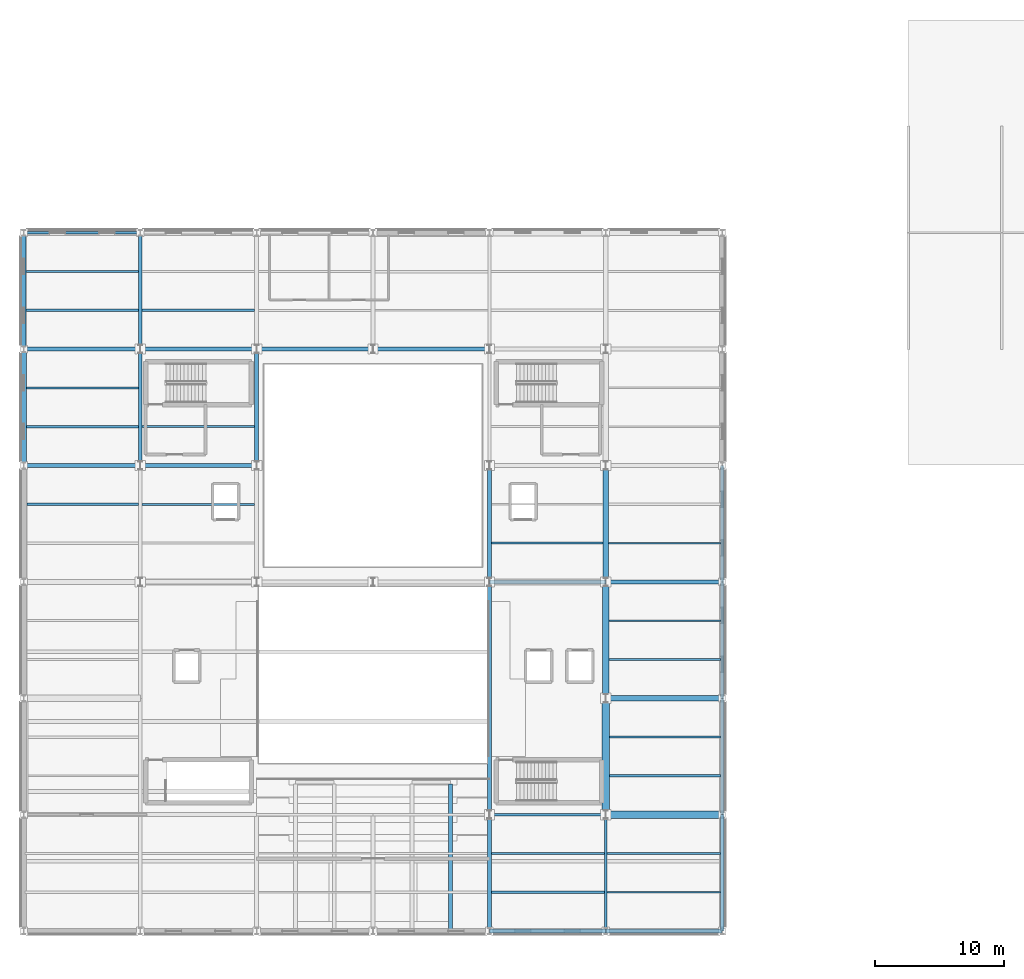
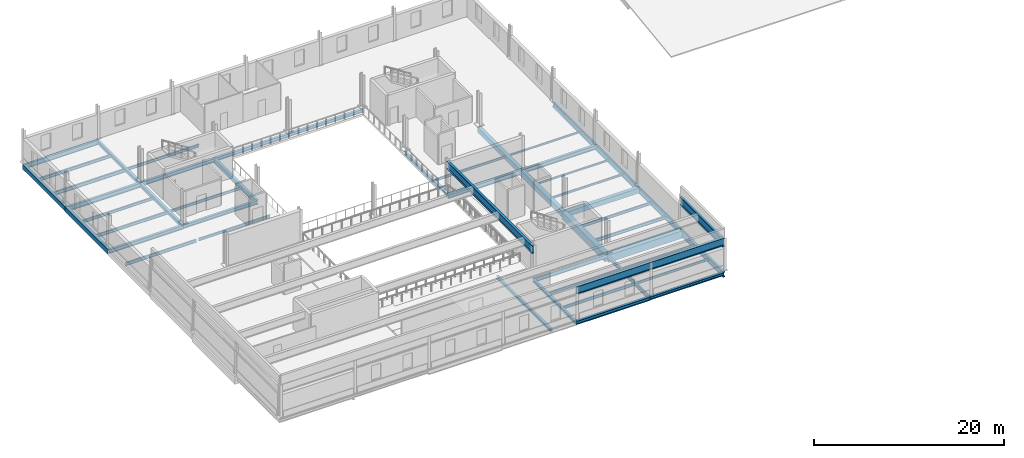
# One storey, part 6 of 17: 52 beams.
"""IFC4 building model written with IfcOpenShell, lengths in metres."""

from ifc_helpers import new_model, si_unit, direction, frame, origin, origin_2d, place, context, subcontext, project, spatial, rectangle, i_section, extrude, material, material_profile, profile_set, type_object, element, save


model = new_model("IFC4")

# Units and contexts
model_context = context("Model", 3, precision=1e-05, world=origin(), true_north=direction((0.0, 1.0)))
body_context = subcontext(model_context, "Body", "Model", "MODEL_VIEW")
ifc_project = project(units=[si_unit("LENGTHUNIT", "METRE"), si_unit("AREAUNIT", "SQUARE_METRE"), si_unit("VOLUMEUNIT", "CUBIC_METRE"), si_unit("PLANEANGLEUNIT", "RADIAN"), si_unit("MASSUNIT", "GRAM", prefix="KILO")], contexts=[model_context])

# Site, building, storey
site_placement = place(None, origin())
site = spatial("IfcSite", under=ifc_project, at=site_placement, CompositionType="ELEMENT")
building_placement = place(site_placement, origin())
building = spatial("IfcBuilding", under=site, at=building_placement, Name="Sundgate Opera House", CompositionType="ELEMENT")
storey_placement = place(building_placement, frame((0.0, 0.0, 26.39990234375)))
storey = spatial("IfcBuildingStorey", under=building, at=storey_placement, Name="L05", CompositionType="ELEMENT", Elevation=26.39990234375)

# Beams
ifc_material_1 = material(Name="Steel S355J2", Category="steel")
ifc_material_profile_1 = material_profile(ifc_material_1, i_section(OverallWidth=0.300048828125, OverallDepth=0.330078125, WebThickness=0.009521484375, FlangeThickness=0.0166015625, at=origin_2d()), Name="HEA 340")
ifc_profile_set_1 = profile_set([ifc_material_profile_1], Name="Steel S355J2")
beam_type_1 = type_object("IfcBeamType", Name="BM-GR-HEA340", PredefinedType="BEAM", material=ifc_profile_set_1)
beam_1_placement = place(storey_placement, frame((63.0, 60.0, -0.4248046875), z_axis=(0.0, 1.0, 0.0), x_axis=(-1.0, 0.0, 0.0)))
element("IfcBeam", 1, at=beam_1_placement, inside=storey, type_object=beam_type_1, Name="L05 Primary N-S Girder B3095", PredefinedType="BEAM", context=body_context, shape_type="SweptSolid", body=[
    extrude(i_section(OverallWidth=0.300048828125, OverallDepth=0.330078125, WebThickness=0.009521484375, FlangeThickness=0.0166015625, at=origin_2d()), origin(), (0.0, 0.0, 1.0), 9.0),
])
ifc_material_2 = material(Name="Steel S355J2", Category="steel")
ifc_material_profile_2 = material_profile(ifc_material_2, i_section(OverallWidth=0.300048828125, OverallDepth=0.35009765625, WebThickness=0.010009765625, FlangeThickness=0.017578125, at=origin_2d()), Name="HEA 360")
ifc_profile_set_2 = profile_set([ifc_material_profile_2], Name="Steel S355J2")
beam_type_2 = type_object("IfcBeamType", Name="BM-GR-HEA360", PredefinedType="BEAM", material=ifc_profile_set_2)
beam_2_placement = place(storey_placement, frame((63.0, 33.0, -0.434814453125), z_axis=(0.0, 1.0, 0.0), x_axis=(-1.0, 0.0, 0.0)))
element("IfcBeam", 2, at=beam_2_placement, inside=storey, type_object=beam_type_2, Name="L05 Primary N-S Girder B3094", PredefinedType="BEAM", context=body_context, shape_type="SweptSolid", body=[
    extrude(i_section(OverallWidth=0.300048828125, OverallDepth=0.35009765625, WebThickness=0.010009765625, FlangeThickness=0.017578125, at=origin_2d()), origin(), (0.0, 0.0, 1.0), 9.0),
])
ifc_material_3 = material(Name="Steel S355J2", Category="steel")
ifc_material_profile_3 = material_profile(ifc_material_3, i_section(OverallWidth=0.300048828125, OverallDepth=0.389892578125, WebThickness=0.010986328125, FlangeThickness=0.01904296875, at=origin_2d()), Name="HEA 400")
ifc_profile_set_3 = profile_set([ifc_material_profile_3], Name="Steel S355J2")
beam_type_3 = type_object("IfcBeamType", Name="BM-GR-HEA400", PredefinedType="BEAM", material=ifc_profile_set_3)
for number, where, z_axis, x_axis, name in (
    (3, (72.0, 33.0, -0.454833984375), (1.0, 0.0, 0.0), (0.0, 1.0, 0.0), "L05 Primary E-W Girder B3115"),
    (4, (54.0, 78.0, -0.454833984375), (1.0, 0.0, 0.0), (0.0, 1.0, 0.0), "L05 Primary E-W Girder B3137"),
):
    element("IfcBeam", number, at=place(storey_placement, frame(where, z_axis=z_axis, x_axis=x_axis)), inside=storey, type_object=beam_type_3, Name=name, PredefinedType="BEAM", context=body_context, shape_type="SweptSolid", body=[
        extrude(i_section(OverallWidth=0.300048828125, OverallDepth=0.389892578125, WebThickness=0.010986328125, FlangeThickness=0.01904296875, at=origin_2d()), origin(), (0.0, 0.0, 1.0), 9.0),
    ])
ifc_material_4 = material(Name="Steel S355J2", Category="steel")
ifc_material_profile_4 = material_profile(ifc_material_4, i_section(OverallWidth=0.300048828125, OverallDepth=0.43994140625, WebThickness=0.011474609375, FlangeThickness=0.02099609375, at=origin_2d()), Name="HEA 450")
ifc_profile_set_4 = profile_set([ifc_material_profile_4], Name="Steel S355J2")
beam_type_4 = type_object("IfcBeamType", Name="BM-GR-HEA450", PredefinedType="BEAM", material=ifc_profile_set_4)
for number, where, z_axis, x_axis, name in (
    (5, (63.0, 33.0, -0.47998046875), (1.0, 0.0, 0.0), (0.0, 1.0, 0.0), "L05 Primary E-W Girder B3114"),
    (6, (45.0, 78.0, -0.47998046875), (1.0, 0.0, 0.0), (0.0, 1.0, 0.0), "L05 Primary E-W Girder B3136"),
):
    element("IfcBeam", number, at=place(storey_placement, frame(where, z_axis=z_axis, x_axis=x_axis)), inside=storey, type_object=beam_type_4, Name=name, PredefinedType="BEAM", context=body_context, shape_type="SweptSolid", body=[
        extrude(i_section(OverallWidth=0.300048828125, OverallDepth=0.43994140625, WebThickness=0.011474609375, FlangeThickness=0.02099609375, at=origin_2d()), origin(), (0.0, 0.0, 1.0), 9.0),
    ])
ifc_material_5 = material(Name="Steel S355J2", Category="steel")
ifc_material_profile_5 = material_profile(ifc_material_5, i_section(OverallWidth=0.300048828125, OverallDepth=0.489990234375, WebThickness=0.011962890625, FlangeThickness=0.02294921875, at=origin_2d()), Name="HEA 500")
ifc_profile_set_5 = profile_set([ifc_material_profile_5], Name="Steel S355J2")
beam_type_5 = type_object("IfcBeamType", Name="BM-GR-HEA500", PredefinedType="BEAM", material=ifc_profile_set_5)
beam_3_placement = place(storey_placement, frame((36.0, 78.0, -0.5048828125), z_axis=(1.0, 0.0, 0.0), x_axis=(0.0, 1.0, 0.0)))
element("IfcBeam", 7, at=beam_3_placement, inside=storey, type_object=beam_type_5, Name="L05 Primary E-W Girder B3135", PredefinedType="BEAM", context=body_context, shape_type="SweptSolid", body=[
    extrude(i_section(OverallWidth=0.300048828125, OverallDepth=0.489990234375, WebThickness=0.011962890625, FlangeThickness=0.02294921875, at=origin_2d()), origin(), (0.0, 0.0, 1.0), 9.0),
])
ifc_material_6 = material(Name="Steel S355J2", Category="steel")
ifc_material_profile_6 = material_profile(ifc_material_6, i_section(OverallWidth=0.300048828125, OverallDepth=0.590087890625, WebThickness=0.012939453125, FlangeThickness=0.02490234375, at=origin_2d()), Name="HEA 600")
ifc_profile_set_6 = profile_set([ifc_material_profile_6], Name="Steel S355J2")
beam_type_6 = type_object("IfcBeamType", Name="BM-GR-HEA600", PredefinedType="BEAM", material=ifc_profile_set_6)
for number, where, z_axis, x_axis, name in (
    (8, (45.0, 69.0, -0.554931640625), (0.0, 1.0, 0.0), (-1.0, 0.0, 0.0), "L05 Primary N-S Girder B3090"),
    (9, (27.0, 78.0, -0.554931640625), (1.0, 0.0, 0.0), (0.0, 1.0, 0.0), "L05 Primary E-W Girder B3134"),
):
    element("IfcBeam", number, at=place(storey_placement, frame(where, z_axis=z_axis, x_axis=x_axis)), inside=storey, type_object=beam_type_6, Name=name, PredefinedType="BEAM", context=body_context, shape_type="SweptSolid", body=[
        extrude(i_section(OverallWidth=0.300048828125, OverallDepth=0.590087890625, WebThickness=0.012939453125, FlangeThickness=0.02490234375, at=origin_2d()), origin(), (0.0, 0.0, 1.0), 9.0),
    ])
ifc_material_7 = material(Name="Steel S355J2", Category="steel")
ifc_material_profile_7 = material_profile(ifc_material_7, i_section(OverallWidth=0.300048828125, OverallDepth=0.449951171875, WebThickness=0.013916015625, FlangeThickness=0.02587890625, at=origin_2d()), Name="HEB 450")
ifc_profile_set_7 = profile_set([ifc_material_profile_7], Name="Steel S355J2")
beam_type_7 = type_object("IfcBeamType", Name="BM-GR-HEB450", PredefinedType="BEAM", material=ifc_profile_set_7)
for number, where, z_axis, x_axis, name in (
    (10, (36.0, 78.0, -0.48486328125), (0.0, 1.0, 0.0), (-1.0, 0.0, 0.0), "L05 Primary N-S Girder B3087"),
    (11, (36.0, 69.0, -0.48486328125), (1.0, 0.0, 0.0), (0.0, 1.0, 0.0), "L05 Primary E-W Girder B3131"),
):
    element("IfcBeam", number, at=place(storey_placement, frame(where, z_axis=z_axis, x_axis=x_axis)), inside=storey, type_object=beam_type_7, Name=name, PredefinedType="BEAM", context=body_context, shape_type="SweptSolid", body=[
        extrude(i_section(OverallWidth=0.300048828125, OverallDepth=0.449951171875, WebThickness=0.013916015625, FlangeThickness=0.02587890625, at=origin_2d()), origin(), (0.0, 0.0, 1.0), 9.0),
    ])
ifc_material_8 = material(Name="Steel S355J2", Category="steel")
ifc_material_profile_8 = material_profile(ifc_material_8, i_section(OverallWidth=0.300048828125, OverallDepth=0.5, WebThickness=0.014404296875, FlangeThickness=0.028076171875, at=origin_2d()), Name="HEB 500")
ifc_profile_set_8 = profile_set([ifc_material_profile_8], Name="Steel S355J2")
beam_type_8 = type_object("IfcBeamType", Name="BM-GR-HEB500", PredefinedType="BEAM", material=ifc_profile_set_8)
for number, where, z_axis, x_axis, name in (
    (12, (36.0, 69.0, -0.510009765625), (0.0, 1.0, 0.0), (-1.0, 0.0, 0.0), "L05 Primary N-S Girder B3086"),
    (13, (27.0, 69.0, -0.510009765625), (1.0, 0.0, 0.0), (0.0, 1.0, 0.0), "L05 Primary E-W Girder B3130"),
):
    element("IfcBeam", number, at=place(storey_placement, frame(where, z_axis=z_axis, x_axis=x_axis)), inside=storey, type_object=beam_type_8, Name=name, PredefinedType="BEAM", context=body_context, shape_type="SweptSolid", body=[
        extrude(i_section(OverallWidth=0.300048828125, OverallDepth=0.5, WebThickness=0.014404296875, FlangeThickness=0.028076171875, at=origin_2d()), origin(), (0.0, 0.0, 1.0), 9.0),
    ])
ifc_material_9 = material(Name="Steel S355J2", Category="steel")
ifc_material_profile_9 = material_profile(ifc_material_9, i_section(OverallWidth=0.300048828125, OverallDepth=0.550048828125, WebThickness=0.014892578125, FlangeThickness=0.029052734375, at=origin_2d()), Name="HEB 550")
ifc_profile_set_9 = profile_set([ifc_material_profile_9], Name="Steel S355J2")
beam_type_9 = type_object("IfcBeamType", Name="BM-GR-HEB550", PredefinedType="BEAM", material=ifc_profile_set_9)
for number, where, z_axis, x_axis, name in (
    (14, (81.0, 60.0, -0.534912109375), (0.0, 1.0, 0.0), (-1.0, 0.0, 0.0), "L05 Primary N-S Girder B3107"),
    (15, (72.0, 60.0, -0.534912109375), (1.0, 0.0, 0.0), (0.0, 1.0, 0.0), "L05 Primary E-W Girder B3129"),
):
    element("IfcBeam", number, at=place(storey_placement, frame(where, z_axis=z_axis, x_axis=x_axis)), inside=storey, type_object=beam_type_9, Name=name, PredefinedType="BEAM", context=body_context, shape_type="SweptSolid", body=[
        extrude(i_section(OverallWidth=0.300048828125, OverallDepth=0.550048828125, WebThickness=0.014892578125, FlangeThickness=0.029052734375, at=origin_2d()), origin(), (0.0, 0.0, 1.0), 9.0),
    ])
ifc_material_10 = material(Name="Steel S355J2", Category="steel")
ifc_material_profile_10 = material_profile(ifc_material_10, i_section(OverallWidth=0.300048828125, OverallDepth=0.60009765625, WebThickness=0.015380859375, FlangeThickness=0.030029296875, at=origin_2d()), Name="HEB 600")
ifc_profile_set_10 = profile_set([ifc_material_profile_10], Name="Steel S355J2")
beam_type_10 = type_object("IfcBeamType", Name="BM-GR-HEB600", PredefinedType="BEAM", material=ifc_profile_set_10)
for number, where, z_axis, x_axis, name in (
    (16, (81.0, 51.0, -0.559814453125), (0.0, 1.0, 0.0), (-1.0, 0.0, 0.0), "L05 Primary N-S Girder B3106"),
    (17, (63.0, 60.0, -0.559814453125), (1.0, 0.0, 0.0), (0.0, 1.0, 0.0), "L05 Primary E-W Girder B3128"),
):
    element("IfcBeam", number, at=place(storey_placement, frame(where, z_axis=z_axis, x_axis=x_axis)), inside=storey, type_object=beam_type_10, Name=name, PredefinedType="BEAM", context=body_context, shape_type="SweptSolid", body=[
        extrude(i_section(OverallWidth=0.300048828125, OverallDepth=0.60009765625, WebThickness=0.015380859375, FlangeThickness=0.030029296875, at=origin_2d()), origin(), (0.0, 0.0, 1.0), 9.0),
    ])
ifc_material_11 = material(Name="Steel S355J2", Category="steel")
ifc_material_profile_11 = material_profile(ifc_material_11, i_section(OverallWidth=0.300048828125, OverallDepth=0.64990234375, WebThickness=0.01611328125, FlangeThickness=0.031005859375, at=origin_2d()), Name="HEB 650")
ifc_profile_set_11 = profile_set([ifc_material_profile_11], Name="Steel S355J2")
beam_type_11 = type_object("IfcBeamType", Name="BM-GR-HEB650", PredefinedType="BEAM", material=ifc_profile_set_11)
beam_4_placement = place(storey_placement, frame((81.0, 42.0, -0.5849609375), z_axis=(0.0, 1.0, 0.0), x_axis=(-1.0, 0.0, 0.0)))
element("IfcBeam", 18, at=beam_4_placement, inside=storey, type_object=beam_type_11, Name="L05 Primary N-S Girder B3105", PredefinedType="BEAM", context=body_context, shape_type="SweptSolid", body=[
    extrude(i_section(OverallWidth=0.300048828125, OverallDepth=0.64990234375, WebThickness=0.01611328125, FlangeThickness=0.031005859375, at=origin_2d()), origin(), (0.0, 0.0, 1.0), 9.0),
])
ifc_material_12 = material(Name="Steel S355J2", Category="steel")
ifc_material_profile_12 = material_profile(ifc_material_12, i_section(OverallWidth=0.300048828125, OverallDepth=0.699951171875, WebThickness=0.01708984375, FlangeThickness=0.031982421875, at=origin_2d()), Name="HEB 700")
ifc_profile_set_12 = profile_set([ifc_material_profile_12], Name="Steel S355J2")
beam_type_12 = type_object("IfcBeamType", Name="BM-GR-HEB700", PredefinedType="BEAM", material=ifc_profile_set_12)
beam_5_placement = place(storey_placement, frame((81.0, 33.0, -0.60986328125), z_axis=(0.0, 1.0, 0.0), x_axis=(-1.0, 0.0, 0.0)))
element("IfcBeam", 19, at=beam_5_placement, inside=storey, type_object=beam_type_12, Name="L05 Primary N-S Girder B3104", PredefinedType="BEAM", context=body_context, shape_type="SweptSolid", body=[
    extrude(i_section(OverallWidth=0.300048828125, OverallDepth=0.699951171875, WebThickness=0.01708984375, FlangeThickness=0.031982421875, at=origin_2d()), origin(), (0.0, 0.0, 1.0), 9.0),
])
ifc_material_13 = material(Name="Steel S355J2", Category="steel")
ifc_material_profile_13 = material_profile(ifc_material_13, i_section(OverallWidth=0.199951171875, OverallDepth=0.5, WebThickness=0.01025390625, FlangeThickness=0.01611328125, at=origin_2d()), Name="IPE 500")
ifc_profile_set_13 = profile_set([ifc_material_profile_13], Name="Steel S355J2")
beam_type_13 = type_object("IfcBeamType", Name="BM-GR-IPE500", PredefinedType="BEAM", material=ifc_profile_set_13)
for number, where, z_axis, x_axis, name in (
    (20, (72.0, 33.0, -0.510009765625), (0.0, 1.0, 0.0), (-1.0, 0.0, 0.0), "L05 Primary N-S Girder B3098"),
    (21, (63.0, 42.0, -0.510009765625), (1.0, 0.0, 0.0), (0.0, 1.0, 0.0), "L05 Primary E-W Girder B3120"),
):
    element("IfcBeam", number, at=place(storey_placement, frame(where, z_axis=z_axis, x_axis=x_axis)), inside=storey, type_object=beam_type_13, Name=name, PredefinedType="BEAM", context=body_context, shape_type="SweptSolid", body=[
        extrude(i_section(OverallWidth=0.199951171875, OverallDepth=0.5, WebThickness=0.01025390625, FlangeThickness=0.01611328125, at=origin_2d()), origin(), (0.0, 0.0, 1.0), 9.0),
    ])
ifc_material_14 = material(Name="Steel S355J2", Category="steel")
ifc_material_profile_14 = material_profile(ifc_material_14, i_section(OverallWidth=0.219970703125, OverallDepth=0.60009765625, WebThickness=0.011962890625, FlangeThickness=0.01904296875, at=origin_2d()), Name="IPE 600")
ifc_profile_set_14 = profile_set([ifc_material_profile_14], Name="Steel S355J2")
beam_type_14 = type_object("IfcBeamType", Name="BM-GR-IPE600", PredefinedType="BEAM", material=ifc_profile_set_14)
beam_6_placement = place(storey_placement, frame((27.0, 87.0, -0.559814453125), z_axis=(1.0, 0.0, 0.0), x_axis=(0.0, 1.0, 0.0)))
element("IfcBeam", 22, at=beam_6_placement, inside=storey, type_object=beam_type_14, Name="L05 Primary E-W Girder B3140", PredefinedType="BEAM", context=body_context, shape_type="SweptSolid", body=[
    extrude(i_section(OverallWidth=0.219970703125, OverallDepth=0.60009765625, WebThickness=0.011962890625, FlangeThickness=0.01904296875, at=origin_2d()), origin(), (0.0, 0.0, 1.0), 9.0),
])
ifc_material_15 = material(Name="Steel S355J2", Category="steel")
ifc_material_profile_15 = material_profile(ifc_material_15, i_section(OverallWidth=0.1201171875, OverallDepth=0.239990234375, WebThickness=0.006103515625, FlangeThickness=0.009765625, at=origin_2d()), Name="IPE 240")
ifc_profile_set_15 = profile_set([ifc_material_profile_15], Name="Steel S355J2")
beam_type_15 = type_object("IfcBeamType", Name="BM-JS-IPE240", PredefinedType="JOIST", material=ifc_profile_set_15)
beam_7_placement = place(storey_placement, frame((72.25, 57.0, -0.3798828125), z_axis=(1.0, 0.0, 0.0), x_axis=(0.0, 1.0, 0.0)))
element("IfcBeam", 23, at=beam_7_placement, inside=storey, type_object=beam_type_15, Name="L05 Secondary Floor Joist B3165", PredefinedType="JOIST", context=body_context, shape_type="SweptSolid", body=[
    extrude(i_section(OverallWidth=0.1201171875, OverallDepth=0.239990234375, WebThickness=0.006103515625, FlangeThickness=0.009765625, at=origin_2d()), origin(), (0.0, 0.0, 1.0), 8.60009765625),
])
beam_8_placement = place(storey_placement, frame((72.22509765625, 63.0, -0.3798828125), z_axis=(1.0, 0.0, 0.0), x_axis=(0.0, 1.0, 0.0)))
element("IfcBeam", 24, at=beam_8_placement, inside=storey, type_object=beam_type_15, Name="L05 Secondary Floor Joist B3172", PredefinedType="JOIST", context=body_context, shape_type="SweptSolid", body=[
    extrude(i_section(OverallWidth=0.1201171875, OverallDepth=0.239990234375, WebThickness=0.006103515625, FlangeThickness=0.009765625, at=origin_2d()), origin(), (0.0, 0.0, 1.0), 8.625),
])
ifc_material_16 = material(Name="Steel S355J2", Category="steel")
ifc_material_profile_16 = material_profile(ifc_material_16, i_section(OverallWidth=0.135009765625, OverallDepth=0.27001953125, WebThickness=0.006591796875, FlangeThickness=0.01025390625, at=origin_2d()), Name="IPE 270")
ifc_profile_set_16 = profile_set([ifc_material_profile_16], Name="Steel S355J2")
beam_type_16 = type_object("IfcBeamType", Name="BM-JS-IPE270", PredefinedType="JOIST", material=ifc_profile_set_16)
beam_9_placement = place(storey_placement, frame((72.10009765625, 39.0, -0.39501953125), z_axis=(1.0, 0.0, 0.0), x_axis=(0.0, 1.0, 0.0)))
element("IfcBeam", 25, at=beam_9_placement, inside=storey, type_object=beam_type_16, Name="L05 Secondary Floor Joist B3157", PredefinedType="JOIST", context=body_context, shape_type="SweptSolid", body=[
    extrude(i_section(OverallWidth=0.135009765625, OverallDepth=0.27001953125, WebThickness=0.006591796875, FlangeThickness=0.01025390625, at=origin_2d()), origin(), (0.0, 0.0, 1.0), 8.75),
])
beam_10_placement = place(storey_placement, frame((72.25, 54.0, -0.39501953125), z_axis=(1.0, 0.0, 0.0), x_axis=(0.0, 1.0, 0.0)))
element("IfcBeam", 26, at=beam_10_placement, inside=storey, type_object=beam_type_16, Name="L05 Secondary Floor Joist B3164", PredefinedType="JOIST", context=body_context, shape_type="SweptSolid", body=[
    extrude(i_section(OverallWidth=0.135009765625, OverallDepth=0.27001953125, WebThickness=0.006591796875, FlangeThickness=0.01025390625, at=origin_2d()), origin(), (0.0, 0.0, 1.0), 8.60009765625),
])
ifc_material_17 = material(Name="Steel S355J2", Category="steel")
ifc_material_profile_17 = material_profile(ifc_material_17, i_section(OverallWidth=0.14990234375, OverallDepth=0.300048828125, WebThickness=0.007080078125, FlangeThickness=0.0107421875, at=origin_2d()), Name="IPE 300")
ifc_profile_set_17 = profile_set([ifc_material_profile_17], Name="Steel S355J2")
beam_type_17 = type_object("IfcBeamType", Name="BM-JS-IPE300", PredefinedType="JOIST", material=ifc_profile_set_17)
beam_11_placement = place(storey_placement, frame((72.10009765625, 36.0, -0.409912109375), z_axis=(1.0, 0.0, 0.0), x_axis=(0.0, 1.0, 0.0)))
element("IfcBeam", 27, at=beam_11_placement, inside=storey, type_object=beam_type_17, Name="L05 Secondary Floor Joist B3156", PredefinedType="JOIST", context=body_context, shape_type="SweptSolid", body=[
    extrude(i_section(OverallWidth=0.14990234375, OverallDepth=0.300048828125, WebThickness=0.007080078125, FlangeThickness=0.0107421875, at=origin_2d()), origin(), (0.0, 0.0, 1.0), 8.75),
])
beam_12_placement = place(storey_placement, frame((63.14990234375, 63.0, -0.409912109375), z_axis=(1.0, 0.0, 0.0), x_axis=(0.0, 1.0, 0.0)))
element("IfcBeam", 28, at=beam_12_placement, inside=storey, type_object=beam_type_17, Name="L05 Secondary Floor Joist B3170", PredefinedType="JOIST", context=body_context, shape_type="SweptSolid", body=[
    extrude(i_section(OverallWidth=0.14990234375, OverallDepth=0.300048828125, WebThickness=0.007080078125, FlangeThickness=0.0107421875, at=origin_2d()), origin(), (0.0, 0.0, 1.0), 8.625),
])
ifc_material_18 = material(Name="Steel S355J2", Category="steel")
ifc_material_profile_18 = material_profile(ifc_material_18, i_section(OverallWidth=0.159912109375, OverallDepth=0.330078125, WebThickness=0.007568359375, FlangeThickness=0.011474609375, at=origin_2d()), Name="IPE 330")
ifc_profile_set_18 = profile_set([ifc_material_profile_18], Name="Steel S355J2")
beam_type_18 = type_object("IfcBeamType", Name="BM-JS-IPE330", PredefinedType="JOIST", material=ifc_profile_set_18)
beam_13_placement = place(storey_placement, frame((63.14990234375, 39.0, -0.4248046875), z_axis=(1.0, 0.0, 0.0), x_axis=(0.0, 1.0, 0.0)))
element("IfcBeam", 29, at=beam_13_placement, inside=storey, type_object=beam_type_18, Name="L05 Secondary Floor Joist B3155", PredefinedType="JOIST", context=body_context, shape_type="SweptSolid", body=[
    extrude(i_section(OverallWidth=0.159912109375, OverallDepth=0.330078125, WebThickness=0.007568359375, FlangeThickness=0.011474609375, at=origin_2d()), origin(), (0.0, 0.0, 1.0), 8.75),
])
for number, where, z_axis, x_axis, name in (
    (30, (36.14990234375, 66.0, -0.4248046875), (1.0, 0.0, 0.0), (0.0, 1.0, 0.0), "L05 Secondary Floor Joist B3169"),
    (31, (36.14990234375, 72.0, -0.4248046875), (1.0, 0.0, 0.0), (0.0, 1.0, 0.0), "L05 Secondary Floor Joist B3176"),
):
    element("IfcBeam", number, at=place(storey_placement, frame(where, z_axis=z_axis, x_axis=x_axis)), inside=storey, type_object=beam_type_18, Name=name, PredefinedType="JOIST", context=body_context, shape_type="SweptSolid", body=[
        extrude(i_section(OverallWidth=0.159912109375, OverallDepth=0.330078125, WebThickness=0.007568359375, FlangeThickness=0.011474609375, at=origin_2d()), origin(), (0.0, 0.0, 1.0), 8.7001953125),
    ])
ifc_material_19 = material(Name="Steel S355J2", Category="steel")
ifc_material_profile_19 = material_profile(ifc_material_19, i_section(OverallWidth=0.169921875, OverallDepth=0.360107421875, WebThickness=0.008056640625, FlangeThickness=0.0126953125, at=origin_2d()), Name="IPE 360")
ifc_profile_set_19 = profile_set([ifc_material_profile_19], Name="Steel S355J2")
beam_type_19 = type_object("IfcBeamType", Name="BM-JS-IPE360", PredefinedType="JOIST", material=ifc_profile_set_19)
beam_14_placement = place(storey_placement, frame((63.14990234375, 36.0, -0.43994140625), z_axis=(1.0, 0.0, 0.0), x_axis=(0.0, 1.0, 0.0)))
element("IfcBeam", 32, at=beam_14_placement, inside=storey, type_object=beam_type_19, Name="L05 Secondary Floor Joist B3154", PredefinedType="JOIST", context=body_context, shape_type="SweptSolid", body=[
    extrude(i_section(OverallWidth=0.169921875, OverallDepth=0.360107421875, WebThickness=0.008056640625, FlangeThickness=0.0126953125, at=origin_2d()), origin(), (0.0, 0.0, 1.0), 8.75),
])
beam_15_placement = place(storey_placement, frame((72.300048828125, 48.0, -0.43994140625), z_axis=(1.0, 0.0, 0.0), x_axis=(0.0, 1.0, 0.0)))
element("IfcBeam", 33, at=beam_15_placement, inside=storey, type_object=beam_type_19, Name="L05 Secondary Floor Joist B3161", PredefinedType="JOIST", context=body_context, shape_type="SweptSolid", body=[
    extrude(i_section(OverallWidth=0.169921875, OverallDepth=0.360107421875, WebThickness=0.008056640625, FlangeThickness=0.0126953125, at=origin_2d()), origin(), (0.0, 0.0, 1.0), 8.550048828125),
])
beam_16_placement = place(storey_placement, frame((27.199951171875, 75.0, -0.43994140625), z_axis=(1.0, 0.0, 0.0), x_axis=(0.0, 1.0, 0.0)))
element("IfcBeam", 34, at=beam_16_placement, inside=storey, type_object=beam_type_19, Name="L05 Secondary Floor Joist B3175", PredefinedType="JOIST", context=body_context, shape_type="SweptSolid", body=[
    extrude(i_section(OverallWidth=0.169921875, OverallDepth=0.360107421875, WebThickness=0.008056640625, FlangeThickness=0.0126953125, at=origin_2d()), origin(), (0.0, 0.0, 1.0), 8.650146484375),
])
beam_17_placement = place(storey_placement, frame((36.14990234375, 81.0, -0.43994140625), z_axis=(1.0, 0.0, 0.0), x_axis=(0.0, 1.0, 0.0)))
element("IfcBeam", 35, at=beam_17_placement, inside=storey, type_object=beam_type_19, Name="L05 Secondary Floor Joist B3182", PredefinedType="JOIST", context=body_context, shape_type="SweptSolid", body=[
    extrude(i_section(OverallWidth=0.169921875, OverallDepth=0.360107421875, WebThickness=0.008056640625, FlangeThickness=0.0126953125, at=origin_2d()), origin(), (0.0, 0.0, 1.0), 8.7001953125),
])
ifc_material_20 = material(Name="Steel S355J2", Category="steel")
ifc_material_profile_20 = material_profile(ifc_material_20, i_section(OverallWidth=0.179931640625, OverallDepth=0.39990234375, WebThickness=0.008544921875, FlangeThickness=0.013427734375, at=origin_2d()), Name="IPE 400")
ifc_profile_set_20 = profile_set([ifc_material_profile_20], Name="Steel S355J2")
beam_type_20 = type_object("IfcBeamType", Name="BM-JS-IPE400", PredefinedType="JOIST", material=ifc_profile_set_20)
beam_18_placement = place(storey_placement, frame((72.300048828125, 45.0, -0.4599609375), z_axis=(1.0, 0.0, 0.0), x_axis=(0.0, 1.0, 0.0)))
element("IfcBeam", 36, at=beam_18_placement, inside=storey, type_object=beam_type_20, Name="L05 Secondary Floor Joist B3160", PredefinedType="JOIST", context=body_context, shape_type="SweptSolid", body=[
    extrude(i_section(OverallWidth=0.179931640625, OverallDepth=0.39990234375, WebThickness=0.008544921875, FlangeThickness=0.013427734375, at=origin_2d()), origin(), (0.0, 0.0, 1.0), 8.550048828125),
])
beam_19_placement = place(storey_placement, frame((27.22509765625, 66.0, -0.4599609375), z_axis=(1.0, 0.0, 0.0), x_axis=(0.0, 1.0, 0.0)))
element("IfcBeam", 37, at=beam_19_placement, inside=storey, type_object=beam_type_20, Name="L05 Secondary Floor Joist B3167", PredefinedType="JOIST", context=body_context, shape_type="SweptSolid", body=[
    extrude(i_section(OverallWidth=0.179931640625, OverallDepth=0.39990234375, WebThickness=0.008544921875, FlangeThickness=0.013427734375, at=origin_2d()), origin(), (0.0, 0.0, 1.0), 8.625),
])
beam_20_placement = place(storey_placement, frame((27.199951171875, 72.0, -0.4599609375), z_axis=(1.0, 0.0, 0.0), x_axis=(0.0, 1.0, 0.0)))
element("IfcBeam", 38, at=beam_20_placement, inside=storey, type_object=beam_type_20, Name="L05 Secondary Floor Joist B3174", PredefinedType="JOIST", context=body_context, shape_type="SweptSolid", body=[
    extrude(i_section(OverallWidth=0.179931640625, OverallDepth=0.39990234375, WebThickness=0.008544921875, FlangeThickness=0.013427734375, at=origin_2d()), origin(), (0.0, 0.0, 1.0), 8.650146484375),
])
beam_21_placement = place(storey_placement, frame((27.175048828125, 84.0, -0.4599609375), z_axis=(1.0, 0.0, 0.0), x_axis=(0.0, 1.0, 0.0)))
element("IfcBeam", 39, at=beam_21_placement, inside=storey, type_object=beam_type_20, Name="L05 Secondary Floor Joist B3181", PredefinedType="JOIST", context=body_context, shape_type="SweptSolid", body=[
    extrude(i_section(OverallWidth=0.179931640625, OverallDepth=0.39990234375, WebThickness=0.008544921875, FlangeThickness=0.013427734375, at=origin_2d()), origin(), (0.0, 0.0, 1.0), 8.675048828125),
])
ifc_material_21 = material(Name="Steel S355J2", Category="steel")
ifc_material_profile_21 = material_profile(ifc_material_21, i_section(OverallWidth=0.18994140625, OverallDepth=0.449951171875, WebThickness=0.009521484375, FlangeThickness=0.0146484375, at=origin_2d()), Name="IPE 450")
ifc_profile_set_21 = profile_set([ifc_material_profile_21], Name="Steel S355J2")
beam_type_21 = type_object("IfcBeamType", Name="BM-JS-IPE450", PredefinedType="JOIST", material=ifc_profile_set_21)
beam_22_placement = place(storey_placement, frame((27.175048828125, 81.0, -0.48486328125), z_axis=(1.0, 0.0, 0.0), x_axis=(0.0, 1.0, 0.0)))
element("IfcBeam", 40, at=beam_22_placement, inside=storey, type_object=beam_type_21, Name="L05 Secondary Floor Joist B3180", PredefinedType="JOIST", context=body_context, shape_type="SweptSolid", body=[
    extrude(i_section(OverallWidth=0.18994140625, OverallDepth=0.449951171875, WebThickness=0.009521484375, FlangeThickness=0.0146484375, at=origin_2d()), origin(), (0.0, 0.0, 1.0), 8.675048828125),
])
ifc_material_22 = material(Name="Concrete C35/45", Category="concrete")
ifc_material_profile_22 = material_profile(ifc_material_22, rectangle(XDim=0.35009765625, YDim=0.550048828125, at=origin_2d()), Name="RC 350x550")
ifc_profile_set_22 = profile_set([ifc_material_profile_22], Name="Concrete C35/45")
beam_type_22 = type_object("IfcBeamType", Name="BM-RC-350x550", PredefinedType="BEAM", material=ifc_profile_set_22)
beam_23_placement = place(storey_placement, frame((27.0, 78.0, -0.534912109375), z_axis=(0.0, 1.0, 0.0), x_axis=(-1.0, 0.0, 0.0)))
element("IfcBeam", 41, at=beam_23_placement, inside=storey, type_object=beam_type_22, Name="L05 Primary N-S Girder B3081", PredefinedType="BEAM", context=body_context, shape_type="SweptSolid", body=[
    extrude(rectangle(XDim=0.35009765625, YDim=0.550048828125, at=origin_2d()), origin(), (0.0, 0.0, 1.0), 9.0),
])
ifc_material_23 = material(Name="Concrete C35/45", Category="concrete")
ifc_material_profile_23 = material_profile(ifc_material_23, rectangle(XDim=0.39990234375, YDim=0.60009765625, at=origin_2d()), Name="RC 400x600")
ifc_profile_set_23 = profile_set([ifc_material_profile_23], Name="Concrete C35/45")
beam_type_23 = type_object("IfcBeamType", Name="BM-RC-400x600", PredefinedType="BEAM", material=ifc_profile_set_23)
beam_24_placement = place(storey_placement, frame((27.0, 69.0, -0.559814453125), z_axis=(0.0, 1.0, 0.0), x_axis=(-1.0, 0.0, 0.0)))
element("IfcBeam", 42, at=beam_24_placement, inside=storey, type_object=beam_type_23, Name="L05 Primary N-S Girder B3080", PredefinedType="BEAM", context=body_context, shape_type="SweptSolid", body=[
    extrude(rectangle(XDim=0.39990234375, YDim=0.60009765625, at=origin_2d()), origin(), (0.0, 0.0, 1.0), 9.0),
])
ifc_material_24 = material(Name="Concrete C35/45", Category="concrete")
ifc_material_profile_24 = material_profile(ifc_material_24, rectangle(XDim=0.449951171875, YDim=0.64990234375, at=origin_2d()), Name="RC 450x650")
ifc_profile_set_24 = profile_set([ifc_material_profile_24], Name="Concrete C35/45")
beam_type_24 = type_object("IfcBeamType", Name="BM-RC-450x650", PredefinedType="BEAM", material=ifc_profile_set_24)
for number, where, z_axis, x_axis, name in (
    (43, (72.0, 60.0, -0.5849609375), (0.0, 1.0, 0.0), (-1.0, 0.0, 0.0), "L05 Primary N-S Girder B3101"),
    (44, (72.0, 51.0, -0.5849609375), (1.0, 0.0, 0.0), (0.0, 1.0, 0.0), "L05 Primary E-W Girder B3123"),
):
    element("IfcBeam", number, at=place(storey_placement, frame(where, z_axis=z_axis, x_axis=x_axis)), inside=storey, type_object=beam_type_24, Name=name, PredefinedType="BEAM", context=body_context, shape_type="SweptSolid", body=[
        extrude(rectangle(XDim=0.449951171875, YDim=0.64990234375, at=origin_2d()), origin(), (0.0, 0.0, 1.0), 9.0),
    ])
ifc_material_25 = material(Name="Concrete C40/50", Category="concrete")
ifc_material_profile_25 = material_profile(ifc_material_25, rectangle(XDim=0.5, YDim=0.75, at=origin_2d()), Name="RC 500x750")
ifc_profile_set_25 = profile_set([ifc_material_profile_25], Name="Concrete C40/50")
beam_type_25 = type_object("IfcBeamType", Name="BM-RC-500x750", PredefinedType="BEAM", material=ifc_profile_set_25)
beam_25_placement = place(storey_placement, frame((72.0, 51.0, -0.635009765625), z_axis=(0.0, 1.0, 0.0), x_axis=(-1.0, 0.0, 0.0)))
element("IfcBeam", 45, at=beam_25_placement, inside=storey, type_object=beam_type_25, Name="L05 Primary N-S Girder B3100", PredefinedType="BEAM", context=body_context, shape_type="SweptSolid", body=[
    extrude(rectangle(XDim=0.5, YDim=0.75, at=origin_2d()), origin(), (0.0, 0.0, 1.0), 9.0),
])
ifc_material_26 = material(Name="Concrete C40/50", Category="concrete")
ifc_material_profile_26 = material_profile(ifc_material_26, rectangle(XDim=0.60009765625, YDim=0.949951171875, at=origin_2d()), Name="RC 600x950")
ifc_profile_set_26 = profile_set([ifc_material_profile_26], Name="Concrete C40/50")
beam_type_26 = type_object("IfcBeamType", Name="BM-RC-600x950", PredefinedType="BEAM", material=ifc_profile_set_26)
for number, where, z_axis, x_axis, name in (
    (46, (72.0, 42.0, -0.73486328125), (0.0, 1.0, 0.0), (-1.0, 0.0, 0.0), "L05 Primary N-S Girder B3099"),
    (47, (72.0, 42.0, -0.73486328125), (1.0, 0.0, 0.0), (0.0, 1.0, 0.0), "L05 Primary E-W Girder B3121"),
):
    element("IfcBeam", number, at=place(storey_placement, frame(where, z_axis=z_axis, x_axis=x_axis)), inside=storey, type_object=beam_type_26, Name=name, PredefinedType="BEAM", context=body_context, shape_type="SweptSolid", body=[
        extrude(rectangle(XDim=0.60009765625, YDim=0.949951171875, at=origin_2d()), origin(), (0.0, 0.0, 1.0), 9.0),
    ])
ifc_material_27 = material(Name="Steel S355J2", Category="steel")
ifc_material_profile_27 = material_profile(ifc_material_27, i_section(OverallWidth=0.300048828125, OverallDepth=0.340087890625, WebThickness=0.011962890625, FlangeThickness=0.021484375, at=origin_2d()), Name="HEB 340")
ifc_profile_set_27 = profile_set([ifc_material_profile_27], Name="Steel S355J2")
beam_type_27 = type_object("IfcBeamType", Name="BM-RK-HEB340", PredefinedType="USERDEFINED", material=ifc_profile_set_27)
beam_26_placement = place(storey_placement, frame((60.0, 33.0, -0.429931640625), z_axis=(0.0, 1.0, 0.0), x_axis=(-1.0, 0.0, 0.0)))
element("IfcBeam", 48, at=beam_26_placement, inside=storey, type_object=beam_type_27, Name="L05 Balcony Cantilever Raker B3352", ObjectType="RAKER", PredefinedType="USERDEFINED", context=body_context, shape_type="SweptSolid", body=[
    extrude(i_section(OverallWidth=0.300048828125, OverallDepth=0.340087890625, WebThickness=0.011962890625, FlangeThickness=0.021484375, at=origin_2d()), origin(), (0.0, 0.0, 1.0), 11.3701171875),
])
ifc_material_28 = material(Name="Steel S355ML", Category="steel")
ifc_material_profile_28 = material_profile(ifc_material_28, i_section(OverallWidth=0.300048828125, OverallDepth=1.0, WebThickness=0.01904296875, FlangeThickness=0.035888671875, at=origin_2d()), Name="HEB 1000")
ifc_profile_set_28 = profile_set([ifc_material_profile_28], Name="Steel S355ML")
beam_type_28 = type_object("IfcBeamType", Name="BM-TR-HEB1000", PredefinedType="BEAM", material=ifc_profile_set_28)
for number, where, z_axis, x_axis, name in (
    (49, (63.0, 33.0, 3.7001953125), (1.0, 0.0, 0.0), (0.0, 1.0, 0.0), "L05 Auditorium South Gable Girder B3359"),
    (50, (72.0, 33.0, 3.7001953125), (1.0, 0.0, 0.0), (0.0, 1.0, 0.0), "L05 Auditorium South Gable Girder B3360"),
    (51, (81.0, 33.0, 3.440185546875), (0.0, 1.0, 0.0), (-1.0, 0.0, 0.0), "L05 Auditorium Eaves Collector Girder B3375"),
):
    element("IfcBeam", number, at=place(storey_placement, frame(where, z_axis=z_axis, x_axis=x_axis)), inside=storey, type_object=beam_type_28, Name=name, PredefinedType="BEAM", context=body_context, shape_type="SweptSolid", body=[
        extrude(i_section(OverallWidth=0.300048828125, OverallDepth=1.0, WebThickness=0.01904296875, FlangeThickness=0.035888671875, at=origin_2d()), origin(), (0.0, 0.0, 1.0), 9.0),
    ])
beam_27_placement = place(storey_placement, frame((63.0, 42.0, 3.440185546875), z_axis=(0.0, 1.0, 0.0), x_axis=(-1.0, 0.0, 0.0)))
element("IfcBeam", 52, at=beam_27_placement, inside=storey, type_object=beam_type_28, Name="L05 Auditorium Crown Step Collector Girder B3376", PredefinedType="BEAM", context=body_context, shape_type="SweptSolid", body=[
    extrude(i_section(OverallWidth=0.300048828125, OverallDepth=1.0, WebThickness=0.01904296875, FlangeThickness=0.035888671875, at=origin_2d()), origin(), (0.0, 0.0, 1.0), 18.0),
])

save(model, "model.ifc")
